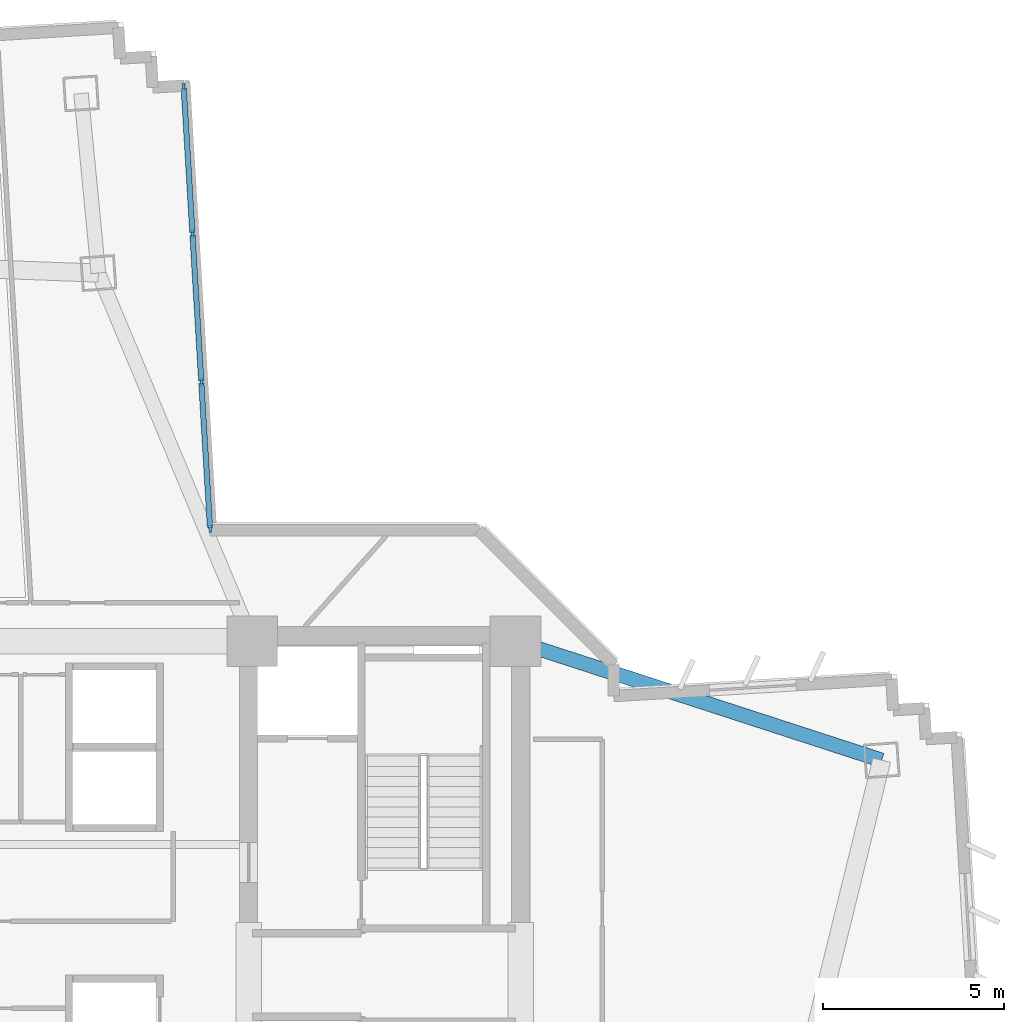
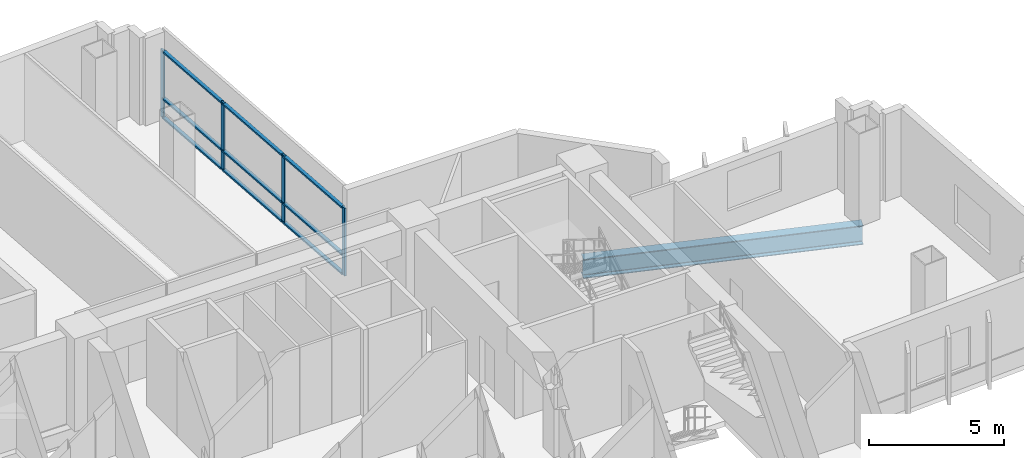
# One storey, part 4 of 15: 13 members, 1 beam, 1 element without a shape of its own.
"""IFC4 building model written with IfcOpenShell, lengths in metres."""

from ifc_helpers import new_model, si_unit, direction, frame, origin, origin_2d, place, context, subcontext, project, spatial, rectangle, i_section, extrude, source, transform, mapped, material, layer, layer_set, material_profile, profile_set, type_object, element, aggregate, save


model = new_model("IFC4")

# Units and contexts
model_context = context("Model", 3, precision=1e-05, world=origin(), true_north=direction((0.0, 1.0)))
body_context = subcontext(model_context, "Body", "Model", "MODEL_VIEW")
ifc_project = project(units=[si_unit("LENGTHUNIT", "METRE"), si_unit("AREAUNIT", "SQUARE_METRE"), si_unit("VOLUMEUNIT", "CUBIC_METRE"), si_unit("PLANEANGLEUNIT", "RADIAN"), si_unit("MASSUNIT", "GRAM", prefix="KILO")], contexts=[model_context])

# Site, building, storey
site_placement = place(None, origin())
site = spatial("IfcSite", under=ifc_project, at=site_placement, CompositionType="ELEMENT")
building_placement = place(site_placement, origin())
building = spatial("IfcBuilding", under=site, at=building_placement, Name="Zahravan Cultural Tower", CompositionType="ELEMENT")
storey_placement = place(building_placement, frame((0.0, 0.0, 75.300048828125)))
storey = spatial("IfcBuildingStorey", under=building, at=storey_placement, Name="L16", CompositionType="ELEMENT", Elevation=75.300048828125)

# Beam
ifc_material_1 = material(Name="Steel ASTM A992 Grade 50", Category="steel")
ifc_material_profile_1 = material_profile(ifc_material_1, i_section(OverallWidth=0.39990234375, OverallDepth=0.862060546875, WebThickness=0.019775390625, FlangeThickness=0.032470703125, FilletRadius=0.02001953125, at=origin_2d()), Name="W33X221")
ifc_profile_set_1 = profile_set([ifc_material_profile_1], Name="Steel ASTM A992 Grade 50")
beam_type = type_object("IfcBeamType", Name="BM-G-W33X221", PredefinedType="BEAM", material=ifc_profile_set_1)
shared_shape_1 = source(origin(), body_context, "Body", "SweptSolid", [
    extrude(i_section(OverallWidth=0.39990234375, OverallDepth=0.862060546875, WebThickness=0.019775390625, FlangeThickness=0.032470703125, FilletRadius=0.02001953125, at=origin_2d()), origin(), (0.0, 0.0, 1.0), 10.615966796875),
])
beam_placement = place(storey_placement, frame((50.35009765625, 36.199951171875, -0.68115234375), z_axis=(0.951063640083, -0.30899506875, 0.0), x_axis=(0.30899506875, 0.951063640083, 0.0)))
element("IfcBeam", 1, at=beam_placement, inside=storey, type_object=beam_type, Name="L16 Beam BG-L16-11", PredefinedType="BEAM", context=body_context, shape_type="MappedRepresentation", body=[
    mapped(shared_shape_1, transform((0.0, 0.0, 0.0), x_axis=(1.0, 0.0, 0.0), y_axis=(0.0, 1.0, 0.0), z_axis=(0.0, 0.0, 1.0), scale=1.0)),
])

# Curtain wall, members
ifc_material_2 = material(Name="Anodised bronze-aluminium mullion", Category="aluminium")
ifc_layer = layer(ifc_material_2, 0.199951171875)
ifc_layer_set = layer_set([ifc_layer], Name="Anodised bronze-aluminium mullion")
curtain_wall_type = type_object("IfcCurtainWallType", Name="CW-SYS-2", PredefinedType="USERDEFINED", material=ifc_layer_set)
curtain_wall_placement = place(storey_placement, origin())
curtain_wall = element("IfcCurtainWall", 2, at=curtain_wall_placement, inside=storey, type_object=curtain_wall_type, Name="L16 Recessed Curtain Wall CW-2.2", ObjectType="RECESSED GLAZING", PredefinedType="USERDEFINED")
ifc_material_profile_2 = material_profile(ifc_material_2, rectangle(XDim=0.074951171875, YDim=0.199951171875, at=origin_2d()), Name="AL-M75X200")
ifc_profile_set_2 = profile_set([ifc_material_profile_2], Name="Anodised bronze-aluminium mullion")
member_type_1 = type_object("IfcMemberType", Name="CWM-CW-2", PredefinedType="MULLION", material=ifc_profile_set_2)
shared_shape_2 = source(origin(), body_context, "Body", "SweptSolid", [
    extrude(rectangle(XDim=0.074951171875, YDim=0.199951171875, at=origin_2d()), origin(), (0.0, 0.0, 1.0), 3.070068359375),
])
member_1_placement = place(storey_placement, frame((41.209228515625, 51.476806640625, 0.0), z_axis=(0.0, 0.0, 1.0), x_axis=(0.998219222021, 0.059652198511, 0.0)))
member_1 = element("IfcMember", 3, at=member_1_placement, type_object=member_type_1, Name="CW-2 mullion 1", PredefinedType="MULLION", context=body_context, shape_type="MappedRepresentation", body=[
    mapped(shared_shape_2, transform((0.0, 0.0, 0.0), x_axis=(1.0, 0.0, 0.0), y_axis=(0.0, 1.0, 0.0), z_axis=(0.0, 0.0, 1.0), scale=1.0)),
])
member_2_placement = place(storey_placement, frame((41.450927734375, 47.429443359375, 0.0), z_axis=(0.0, 0.0, 1.0), x_axis=(0.998219222021, 0.059652198511, 0.0)))
member_2 = element("IfcMember", 4, at=member_2_placement, type_object=member_type_1, Name="CW-2 mullion 2", PredefinedType="MULLION", context=body_context, shape_type="MappedRepresentation", body=[
    mapped(shared_shape_2, transform((0.0, 0.0, 0.0), x_axis=(1.0, 0.0, 0.0), y_axis=(0.0, 1.0, 0.0), z_axis=(0.0, 0.0, 1.0), scale=1.0)),
])
member_3_placement = place(storey_placement, frame((41.695068359375, 43.3447265625, 0.0), z_axis=(0.0, 0.0, 1.0), x_axis=(0.998219222021, 0.059652198511, 0.0)))
member_3 = element("IfcMember", 5, at=member_3_placement, type_object=member_type_1, Name="CW-2 mullion 3", PredefinedType="MULLION", context=body_context, shape_type="MappedRepresentation", body=[
    mapped(shared_shape_2, transform((0.0, 0.0, 0.0), x_axis=(1.0, 0.0, 0.0), y_axis=(0.0, 1.0, 0.0), z_axis=(0.0, 0.0, 1.0), scale=1.0)),
])
member_4_placement = place(storey_placement, frame((41.93701171875, 39.29736328125, 0.0), z_axis=(0.0, 0.0, 1.0), x_axis=(0.998219222021, 0.059652198511, 0.0)))
member_4 = element("IfcMember", 6, at=member_4_placement, type_object=member_type_1, Name="CW-2 mullion 4", PredefinedType="MULLION", context=body_context, shape_type="MappedRepresentation", body=[
    mapped(shared_shape_2, transform((0.0, 0.0, 0.0), x_axis=(1.0, 0.0, 0.0), y_axis=(0.0, 1.0, 0.0), z_axis=(0.0, 0.0, 1.0), scale=1.0)),
])
ifc_material_profile_3 = material_profile(ifc_material_2, rectangle(XDim=0.14990234375, YDim=0.074951171875, at=origin_2d()), Name="AL-T75X150")
ifc_profile_set_3 = profile_set([ifc_material_profile_3], Name="Anodised bronze-aluminium mullion")
member_type_2 = type_object("IfcMemberType", Name="CWT-CW-2", PredefinedType="USERDEFINED", material=ifc_profile_set_3)
shared_shape_3 = source(origin(), body_context, "Body", "SweptSolid", [
    extrude(rectangle(XDim=0.14990234375, YDim=0.074951171875, at=origin_2d()), origin(), (0.0, 0.0, 1.0), 3.9794921875),
])
member_5_placement = place(storey_placement, frame((41.21142578125, 51.439453125, 0.037353515625), z_axis=(0.059631876591, -0.998220436224, 0.0), x_axis=(0.998220436224, 0.059631876591, 0.0)))
member_5 = element("IfcMember", 7, at=member_5_placement, type_object=member_type_2, Name="CW-2 transom 1.1", ObjectType="TRANSOM", PredefinedType="USERDEFINED", context=body_context, shape_type="MappedRepresentation", body=[
    mapped(shared_shape_3, transform((0.0, 0.0, 0.0), x_axis=(1.0, 0.0, 0.0), y_axis=(0.0, 1.0, 0.0), z_axis=(0.0, 0.0, 1.0), scale=1.0)),
])
member_6_placement = place(storey_placement, frame((41.21142578125, 51.439453125, 0.89990234375), z_axis=(0.059631876591, -0.998220436224, 0.0), x_axis=(0.998220436224, 0.059631876591, 0.0)))
member_6 = element("IfcMember", 8, at=member_6_placement, type_object=member_type_2, Name="CW-2 transom 1.2", ObjectType="TRANSOM", PredefinedType="USERDEFINED", context=body_context, shape_type="MappedRepresentation", body=[
    mapped(shared_shape_3, transform((0.0, 0.0, 0.0), x_axis=(1.0, 0.0, 0.0), y_axis=(0.0, 1.0, 0.0), z_axis=(0.0, 0.0, 1.0), scale=1.0)),
])
member_7_placement = place(storey_placement, frame((41.21142578125, 51.439453125, 3.032470703125), z_axis=(0.059631876591, -0.998220436224, 0.0), x_axis=(0.998220436224, 0.059631876591, 0.0)))
member_7 = element("IfcMember", 9, at=member_7_placement, type_object=member_type_2, Name="CW-2 transom 1.3", ObjectType="TRANSOM", PredefinedType="USERDEFINED", context=body_context, shape_type="MappedRepresentation", body=[
    mapped(shared_shape_3, transform((0.0, 0.0, 0.0), x_axis=(1.0, 0.0, 0.0), y_axis=(0.0, 1.0, 0.0), z_axis=(0.0, 0.0, 1.0), scale=1.0)),
])
member_8_placement = place(storey_placement, frame((41.697265625, 43.307373046875, 0.037353515625), z_axis=(0.059693007766, -0.99821678248, 0.0), x_axis=(0.99821678248, 0.059693007766, 0.0)))
member_8 = element("IfcMember", 10, at=member_8_placement, type_object=member_type_2, Name="CW-2 transom 3.1", ObjectType="TRANSOM", PredefinedType="USERDEFINED", context=body_context, shape_type="MappedRepresentation", body=[
    mapped(shared_shape_3, transform((0.0, 0.0, 0.0), x_axis=(1.0, 0.0, 0.0), y_axis=(0.0, 1.0, 0.0), z_axis=(0.0, 0.0, 1.0), scale=1.0)),
])
member_9_placement = place(storey_placement, frame((41.697265625, 43.307373046875, 0.89990234375), z_axis=(0.059693007766, -0.99821678248, 0.0), x_axis=(0.99821678248, 0.059693007766, 0.0)))
member_9 = element("IfcMember", 11, at=member_9_placement, type_object=member_type_2, Name="CW-2 transom 3.2", ObjectType="TRANSOM", PredefinedType="USERDEFINED", context=body_context, shape_type="MappedRepresentation", body=[
    mapped(shared_shape_3, transform((0.0, 0.0, 0.0), x_axis=(1.0, 0.0, 0.0), y_axis=(0.0, 1.0, 0.0), z_axis=(0.0, 0.0, 1.0), scale=1.0)),
])
member_10_placement = place(storey_placement, frame((41.697265625, 43.307373046875, 3.032470703125), z_axis=(0.059693007766, -0.99821678248, 0.0), x_axis=(0.99821678248, 0.059693007766, 0.0)))
member_10 = element("IfcMember", 12, at=member_10_placement, type_object=member_type_2, Name="CW-2 transom 3.3", ObjectType="TRANSOM", PredefinedType="USERDEFINED", context=body_context, shape_type="MappedRepresentation", body=[
    mapped(shared_shape_3, transform((0.0, 0.0, 0.0), x_axis=(1.0, 0.0, 0.0), y_axis=(0.0, 1.0, 0.0), z_axis=(0.0, 0.0, 1.0), scale=1.0)),
])
shared_shape_4 = source(origin(), body_context, "Body", "SweptSolid", [
    extrude(rectangle(XDim=0.14990234375, YDim=0.074951171875, at=origin_2d()), origin(), (0.0, 0.0, 1.0), 4.01708984375),
])
member_11_placement = place(storey_placement, frame((41.453125, 47.39208984375, 0.037353515625), z_axis=(0.059680342409, -0.998217539783, 0.0), x_axis=(0.998217539783, 0.059680342409, 0.0)))
member_11 = element("IfcMember", 13, at=member_11_placement, type_object=member_type_2, Name="CW-2 transom 2.1", ObjectType="TRANSOM", PredefinedType="USERDEFINED", context=body_context, shape_type="MappedRepresentation", body=[
    mapped(shared_shape_4, transform((0.0, 0.0, 0.0), x_axis=(1.0, 0.0, 0.0), y_axis=(0.0, 1.0, 0.0), z_axis=(0.0, 0.0, 1.0), scale=1.0)),
])
member_12_placement = place(storey_placement, frame((41.453125, 47.39208984375, 0.89990234375), z_axis=(0.059680342409, -0.998217539783, 0.0), x_axis=(0.998217539783, 0.059680342409, 0.0)))
member_12 = element("IfcMember", 14, at=member_12_placement, type_object=member_type_2, Name="CW-2 transom 2.2", ObjectType="TRANSOM", PredefinedType="USERDEFINED", context=body_context, shape_type="MappedRepresentation", body=[
    mapped(shared_shape_4, transform((0.0, 0.0, 0.0), x_axis=(1.0, 0.0, 0.0), y_axis=(0.0, 1.0, 0.0), z_axis=(0.0, 0.0, 1.0), scale=1.0)),
])
member_13_placement = place(storey_placement, frame((41.453125, 47.39208984375, 3.032470703125), z_axis=(0.059680342409, -0.998217539783, 0.0), x_axis=(0.998217539783, 0.059680342409, 0.0)))
member_13 = element("IfcMember", 15, at=member_13_placement, type_object=member_type_2, Name="CW-2 transom 2.3", ObjectType="TRANSOM", PredefinedType="USERDEFINED", context=body_context, shape_type="MappedRepresentation", body=[
    mapped(shared_shape_4, transform((0.0, 0.0, 0.0), x_axis=(1.0, 0.0, 0.0), y_axis=(0.0, 1.0, 0.0), z_axis=(0.0, 0.0, 1.0), scale=1.0)),
])
aggregate(curtain_wall, [member_1, member_2, member_3, member_4, member_5, member_6, member_7, member_11, member_12, member_13, member_8, member_9, member_10])

save(model, "model.ifc")
